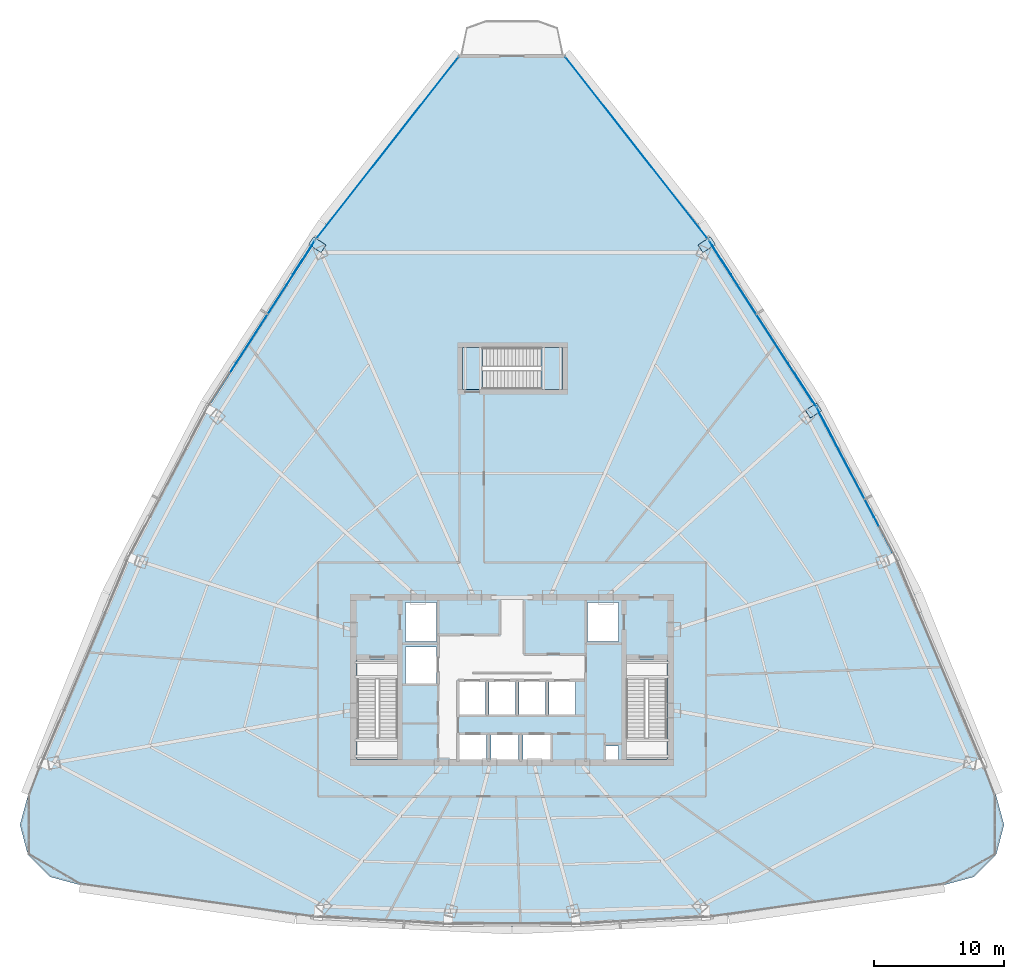
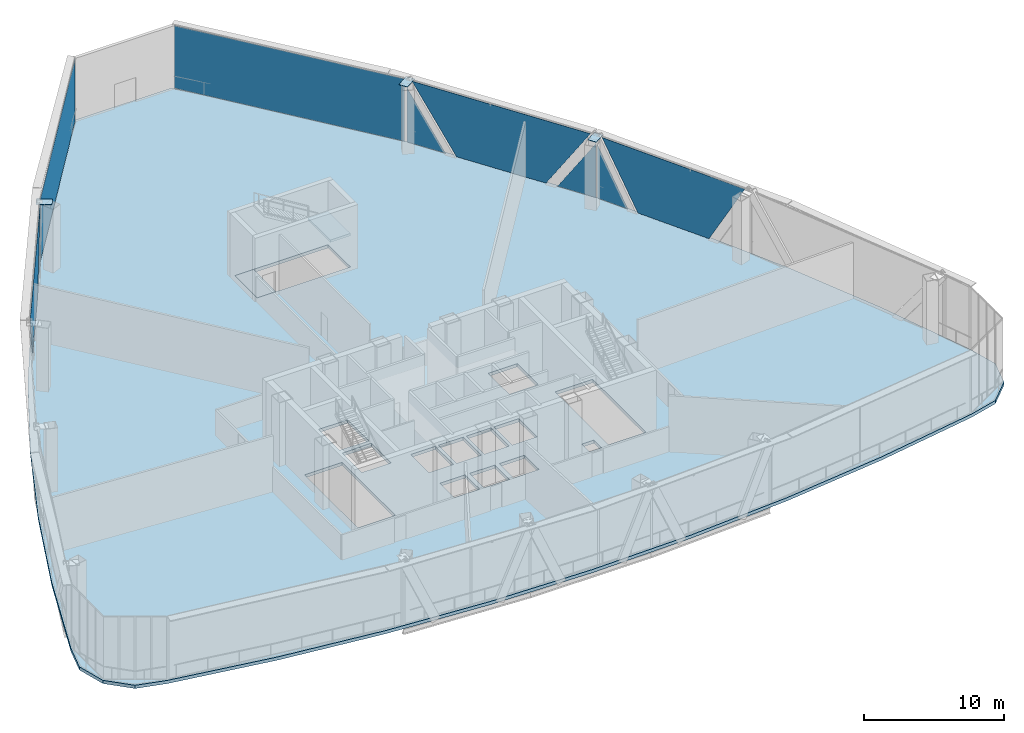
# One storey, part 28 of 38: 12 plates, 3 slabs, 6 elements without a shape of their own.
"""IFC4 building model written with IfcOpenShell, lengths in metres."""

from ifc_helpers import new_model, si_unit, direction, frame, origin, origin_2d, place, context, subcontext, project, spatial, polyline, rectangle, outline, extrude, source, transform, mapped, material, layer, layer_set, type_object, element, aggregate, save


model = new_model("IFC4")

# Units and contexts
model_context = context("Model", 3, precision=1e-05, world=origin(), true_north=direction((0.0, 1.0)))
body_context = subcontext(model_context, "Body", "Model", "MODEL_VIEW")
ifc_project = project(units=[si_unit("LENGTHUNIT", "METRE"), si_unit("AREAUNIT", "SQUARE_METRE"), si_unit("VOLUMEUNIT", "CUBIC_METRE"), si_unit("PLANEANGLEUNIT", "RADIAN"), si_unit("MASSUNIT", "GRAM", prefix="KILO"), si_unit("THERMODYNAMICTEMPERATUREUNIT", "KELVIN"), si_unit("POWERUNIT", "WATT")], contexts=[model_context])

# Site, building, storey
site_placement = place(None, origin())
site = spatial("IfcSite", under=ifc_project, at=site_placement, CompositionType="ELEMENT")
building_placement = place(site_placement, origin())
building = spatial("IfcBuilding", under=site, at=building_placement, Name="Yunzhuo Pagoda Commons", CompositionType="ELEMENT")
storey_placement = place(building_placement, frame((0.0, 0.0, 218.9599609375)))
storey = spatial("IfcBuildingStorey", under=building, at=storey_placement, Name="L55", CompositionType="ELEMENT", Elevation=218.9599609375)

# Curtain wall, plates
ifc_material_1 = material(Name="Anodized aluminium 6063-T6", Category="aluminium")
ifc_layer_1 = layer(ifc_material_1, 0.14990234375)
ifc_layer_set_1 = layer_set([ifc_layer_1], Name="Anodized aluminium 6063-T6")
curtain_wall_type = type_object("IfcCurtainWallType", Name="CW-MID Mid-Zone Ribbon Curtain Wall", PredefinedType="NOTDEFINED", material=ifc_layer_set_1)
curtain_wall_1_placement = place(storey_placement, origin())
curtain_wall_1 = element("IfcCurtainWall", 1, at=curtain_wall_1_placement, inside=storey, type_object=curtain_wall_type, Name="L55 curtain wall CW-L55-F2B3", PredefinedType="NOTDEFINED")
ifc_material_2 = material(Name="Tempered low-e double glazing", Category="glass")
ifc_layer_2 = layer(ifc_material_2, 0.028076171875)
ifc_layer_set_2 = layer_set([ifc_layer_2], Name="Tempered low-e double glazing")
plate_type_1 = type_object("IfcPlateType", Name="CW-MID-P Low-E Double Glazing 28", PredefinedType="CURTAIN_PANEL", material=ifc_layer_set_2)
plate_1_placement = place(storey_placement, frame((74.423095703125, 49.01953125, 2.78515625), z_axis=(0.884850366753, 0.465875335746, 0.0), x_axis=(-0.465875335746, 0.884850366753, 0.0)))
plate_1 = element("IfcPlate", 2, at=plate_1_placement, type_object=plate_type_1, Name="CW panel 1.1 lite 2", PredefinedType="CURTAIN_PANEL", context=body_context, shape_type="SweptSolid", body=[
    extrude(outline(polyline([(-6.041015625, 2.72998046875), (-3.004638671875, -2.72998046875), (3.004638671875, -2.72998046875), (6.041015625, 2.72998046875), (-6.041015625, 2.72998046875)])), origin(), (0.0, 0.0, 1.0), 0.028076171875),
])
plate_2_placement = place(storey_placement, frame((72.045654296875, 53.599609375, 2.36767578125), z_axis=(0.884850366753, 0.465875335746, 0.0), x_axis=(-0.465875335746, 0.884850366753, 0.0)))
plate_2 = element("IfcPlate", 3, at=plate_2_placement, type_object=plate_type_1, Name="CW panel 1.1 lite 3", PredefinedType="CURTAIN_PANEL", context=body_context, shape_type="SweptSolid", body=[
    extrude(outline(polyline([(-1.2861328125, -2.3125), (1.2861328125, -2.3125), (1.2861328125, 2.3125), (-1.2861328125, -2.3125)])), origin(), (0.0, 0.0, 1.0), 0.028076171875),
])
aggregate(curtain_wall_1, [plate_1, plate_2])

curtain_wall_2_placement = place(storey_placement, origin())
curtain_wall_2 = element("IfcCurtainWall", 4, at=curtain_wall_2_placement, inside=storey, type_object=curtain_wall_type, Name="L55 curtain wall CW-L55-F2B4", PredefinedType="NOTDEFINED")
plate_3_placement = place(storey_placement, frame((70.54736328125, 56.1416015625, 2.419921875), z_axis=(0.840364735299, 0.542021320305, 0.0), x_axis=(-0.542021320305, 0.840364735299, 0.0)))
plate_3 = element("IfcPlate", 5, at=plate_3_placement, type_object=plate_type_1, Name="CW panel 1.1 lite 1", PredefinedType="CURTAIN_PANEL", context=body_context, shape_type="SweptSolid", body=[
    extrude(outline(polyline([(-1.548583984375, -2.36474609375), (1.548583984375, -2.36474609375), (-1.548583984375, 2.364990234375), (-1.548583984375, -2.36474609375)])), origin(), (0.0, 0.0, 1.0), 0.028076171875),
])
plate_4_placement = place(storey_placement, frame((67.24169921875, 61.211669921875, 2.78515625), z_axis=(0.840364735299, 0.542021320305, 0.0), x_axis=(-0.542021320305, 0.840364735299, 0.0)))
plate_4 = element("IfcPlate", 6, at=plate_4_placement, type_object=plate_type_1, Name="CW panel 1.1 lite 2", PredefinedType="CURTAIN_PANEL", context=body_context, shape_type="SweptSolid", body=[
    extrude(outline(polyline([(-7.1708984375, 2.72998046875), (-3.595703125, -2.72998046875), (3.595703125, -2.72998046875), (7.1708984375, 2.72998046875), (-7.1708984375, 2.72998046875)])), origin(), (0.0, 0.0, 1.0), 0.028076171875),
])
plate_5_placement = place(storey_placement, frame((63.986083984375, 66.314208984375, 2.419921875), z_axis=(0.840364735299, 0.542021320305, 0.0), x_axis=(-0.542021320305, 0.840364735299, 0.0)))
plate_5 = element("IfcPlate", 7, at=plate_5_placement, type_object=plate_type_1, Name="CW panel 1.1 lite 3", PredefinedType="CURTAIN_PANEL", context=body_context, shape_type="SweptSolid", body=[
    extrude(outline(polyline([(-1.548583984375, -2.36474609375), (1.548583984375, -2.36474609375), (1.548583984375, 2.364990234375), (-1.548583984375, -2.36474609375)])), origin(), (0.0, 0.0, 1.0), 0.028076171875),
])
aggregate(curtain_wall_2, [plate_3, plate_4, plate_5])

curtain_wall_3_placement = place(storey_placement, origin())
curtain_wall_3 = element("IfcCurtainWall", 8, at=curtain_wall_3_placement, inside=storey, type_object=curtain_wall_type, Name="L55 curtain wall CW-L55-F3B2", PredefinedType="NOTDEFINED")
plate_6_placement = place(storey_placement, frame((32.013916015625, 66.314208984375, 2.419921875), z_axis=(-0.840364735299, 0.542021320305, 0.0), x_axis=(-0.542021320305, -0.840364735299, 0.0)))
plate_6 = element("IfcPlate", 9, at=plate_6_placement, type_object=plate_type_1, Name="CW panel 1.1 lite 1", PredefinedType="CURTAIN_PANEL", context=body_context, shape_type="SweptSolid", body=[
    extrude(outline(polyline([(-1.548583984375, -2.36474609375), (1.548583984375, -2.36474609375), (-1.548583984375, 2.364990234375), (-1.548583984375, -2.36474609375)])), origin(), (0.0, 0.0, 1.0), 0.028076171875),
])
plate_7_placement = place(storey_placement, frame((28.75830078125, 61.211669921875, 2.78515625), z_axis=(-0.840364735299, 0.542021320305, 0.0), x_axis=(-0.542021320305, -0.840364735299, 0.0)))
plate_7 = element("IfcPlate", 10, at=plate_7_placement, type_object=plate_type_1, Name="CW panel 1.1 lite 2", PredefinedType="CURTAIN_PANEL", context=body_context, shape_type="SweptSolid", body=[
    extrude(outline(polyline([(-7.1708984375, 2.72998046875), (-3.595703125, -2.72998046875), (3.595703125, -2.72998046875), (7.1708984375, 2.72998046875), (-7.1708984375, 2.72998046875)])), origin(), (0.0, 0.0, 1.0), 0.028076171875),
])
aggregate(curtain_wall_3, [plate_6, plate_7])

# Stair, slabs
ifc_material_3 = material(Name="Concrete C40", Category="concrete")
stair_type = type_object("IfcStairType", Name="ST-C3 North Tower Smokeproof Stair ST3", PredefinedType="HALF_TURN_STAIR", material=ifc_material_3)
stair_placement = place(storey_placement, origin())
stair = element("IfcStair", 11, at=stair_placement, inside=storey, type_object=stair_type, Name="L55 North tower smokeproof stair ST3", PredefinedType="HALF_TURN_STAIR")
ifc_layer_3 = layer(ifc_material_3, 0.2041015625)
ifc_layer_set_3 = layer_set([ifc_layer_3], Name="Concrete C40")
slab_type_1 = type_object("IfcSlabType", Name="SL-LND5 North Landing Slab 204", PredefinedType="LANDING", material=ifc_layer_set_3)
slab_1_placement = place(storey_placement, frame((0.0, 0.0, 2.72509765625)))
slab_1 = element("IfcSlab", 12, at=slab_1_placement, type_object=slab_type_1, Name="ST3 landing 1", PredefinedType="LANDING", context=body_context, shape_type="SweptSolid", body=[
    extrude(outline(polyline([(50.22998046875, 56.199951171875), (51.89990234375, 56.199951171875), (51.89990234375, 59.39990234375), (50.22998046875, 59.39990234375), (50.22998046875, 56.199951171875)])), origin(), (0.0, 0.0, 1.0), 0.199951171875),
])
slab_2_placement = place(storey_placement, frame((0.0, 0.0, -0.199951171875)))
slab_2 = element("IfcSlab", 13, at=slab_2_placement, type_object=slab_type_1, Name="ST3 floor landing L55", PredefinedType="LANDING", context=body_context, shape_type="SweptSolid", body=[
    extrude(outline(polyline([(44.199951171875, 56.199951171875), (45.75, 56.199951171875), (45.75, 59.39990234375), (44.199951171875, 59.39990234375), (44.199951171875, 56.199951171875)])), origin(), (0.0, 0.0, 1.0), 0.199951171875),
])
aggregate(stair, [slab_1, slab_2])

# Slab
ifc_layer_4 = layer(ifc_material_3, 0.280029296875)
ifc_layer_set_4 = layer_set([ifc_layer_4], Name="Concrete C40")
slab_type_2 = type_object("IfcSlabType", Name="SL-POD Podium & Refuge Floor Slab 280", PredefinedType="FLOOR", material=ifc_layer_set_4)
slab_3_placement = place(storey_placement, frame((0.0, 0.0, -0.280029296875)))
element("IfcSlab", 14, at=slab_3_placement, inside=storey, type_object=slab_type_2, Name="L55 structural floor slab", PredefinedType="FLOOR", context=body_context, shape_type="SweptSolid", body=[
    extrude(outline(polyline([(13.7421875, 32.850341796875), (17.022216796875, 40.473388671875), (20.6513671875, 47.89306640625), (24.62939453125, 55.108642578125), (28.95654296875, 62.12060546875), (33.6328125, 68.928955078125), (38.657958984375, 75.533447265625), (44.031982421875, 81.93408203125), (51.968017578125, 81.93408203125), (57.342041015625, 75.533447265625), (62.3671875, 68.928955078125), (67.04345703125, 62.12060546875), (71.37060546875, 55.108642578125), (75.3486328125, 47.89306640625), (78.977783203125, 40.473388671875), (82.2578125, 32.850341796875), (85.188720703125, 25.0234375), (85.815185546875, 22.7236328125), (85.205078125, 20.41943359375), (83.522705078125, 18.73095703125), (81.220703125, 18.11279296875), (72.91552734375, 16.6982421875), (64.6103515625, 15.687744140625), (56.30517578125, 15.08154296875), (48.0, 14.87939453125), (39.69482421875, 15.08154296875), (31.3896484375, 15.687744140625), (23.08447265625, 16.6982421875), (14.779296875, 18.11279296875), (12.477294921875, 18.73095703125), (10.794921875, 20.41943359375), (10.184814453125, 22.7236328125), (10.811279296875, 25.0234375), (13.7421875, 32.850341796875)]), holes=[polyline([(46.050048828125, 29.64990234375), (43.949951171875, 29.64990234375), (43.949951171875, 27.60009765625), (46.050048828125, 27.60009765625), (46.050048828125, 29.64990234375)]), polyline([(48.5, 27.60009765625), (48.5, 29.64990234375), (46.39990234375, 29.64990234375), (46.39990234375, 27.60009765625), (48.5, 27.60009765625)]), polyline([(36.10009765625, 27.800048828125), (39.199951171875, 27.800048828125), (39.199951171875, 35.39990234375), (36.10009765625, 35.39990234375), (36.10009765625, 27.800048828125)]), polyline([(45.969970703125, 31.199951171875), (45.969970703125, 33.800048828125), (43.929931640625, 33.800048828125), (43.929931640625, 31.199951171875), (45.969970703125, 31.199951171875)]), polyline([(48.27001953125, 31.199951171875), (48.27001953125, 33.800048828125), (46.22998046875, 33.800048828125), (46.22998046875, 31.199951171875), (48.27001953125, 31.199951171875)]), polyline([(42.199951171875, 33.60009765625), (42.199951171875, 36.39990234375), (39.800048828125, 36.39990234375), (39.800048828125, 33.60009765625), (42.199951171875, 33.60009765625)]), polyline([(42.199951171875, 36.800048828125), (42.199951171875, 39.800048828125), (39.800048828125, 39.800048828125), (39.800048828125, 36.800048828125), (42.199951171875, 36.800048828125)]), polyline([(56.179931640625, 28.800048828125), (55.179931640625, 28.800048828125), (55.179931640625, 27.699951171875), (56.179931640625, 27.699951171875), (56.179931640625, 28.800048828125)]), polyline([(50.949951171875, 27.60009765625), (50.949951171875, 29.64990234375), (48.85009765625, 29.64990234375), (48.85009765625, 27.60009765625), (50.949951171875, 27.60009765625)]), polyline([(56.800048828125, 27.800048828125), (59.89990234375, 27.800048828125), (59.89990234375, 35.39990234375), (56.800048828125, 35.39990234375), (56.800048828125, 27.800048828125)]), polyline([(50.570068359375, 31.199951171875), (50.570068359375, 33.800048828125), (48.530029296875, 33.800048828125), (48.530029296875, 31.199951171875), (50.570068359375, 31.199951171875)]), polyline([(52.8701171875, 31.199951171875), (52.8701171875, 33.800048828125), (50.830078125, 33.800048828125), (50.830078125, 31.199951171875), (52.8701171875, 31.199951171875)]), polyline([(56.199951171875, 36.800048828125), (56.199951171875, 39.800048828125), (53.800048828125, 39.800048828125), (53.800048828125, 36.800048828125), (56.199951171875, 36.800048828125)]), polyline([(51.89990234375, 56.199951171875), (51.89990234375, 59.39990234375), (44.199951171875, 59.39990234375), (44.199951171875, 56.199951171875), (51.89990234375, 56.199951171875)])]), origin(), (0.0, 0.0, 1.0), 0.280029296875),
])

# Plates
ifc_material_4 = material(Name="Structural steel Q355B", Category="steel")
ifc_layer_5 = layer(ifc_material_4, 0.028076171875)
ifc_layer_set_5 = layer_set([ifc_layer_5], Name="Structural steel Q355B")
plate_type_2 = type_object("IfcPlateType", Name="SP-ND1 Lattice Node Cap Plate 800x500x28", PredefinedType="USERDEFINED", material=ifc_layer_set_5)
shared_shape_1 = source(origin(), body_context, "Body", "SweptSolid", [
    extrude(rectangle(XDim=0.699951171875, YDim=1.03564453125, at=origin_2d()), origin(), (0.0, 0.0, 1.0), 0.035888671875),
])
plate_8_placement = place(storey_placement, frame((71.17626953125, 54.56787109375, 5.5322265625), z_axis=(0.0, 0.0, 1.0), x_axis=(-0.542016257641, 0.840368000612, 0.0)))
element("IfcPlate", 15, at=plate_8_placement, inside=storey, type_object=plate_type_2, Name="L55 setback lattice tie plate F2.3L", ObjectType="STIFFENER_PLATE", PredefinedType="USERDEFINED", context=body_context, shape_type="MappedRepresentation", body=[
    mapped(shared_shape_1, transform((0.0, 0.0, 0.0), scale=1.0)),
])
shared_shape_2 = source(origin(), body_context, "Body", "SweptSolid", [
    extrude(rectangle(XDim=0.699951171875, YDim=1.144287109375, at=origin_2d()), origin(), (0.0, 0.0, 1.0), 0.035888671875),
])
for number, where, z_axis, x_axis, name in (
    (16, (62.964599609375, 67.310791015625, 5.5322265625), (0.0, 0.0, 1.0), (-0.542016257641, 0.840368000612, 0.0), "L55 setback lattice tie plate F2.3R"),
    (17, (33.035400390625, 67.310791015625, 5.5322265625), (0.0, 0.0, 1.0), (-0.542016257641, -0.840368000612, 0.0), "L55 setback lattice tie plate F3.1L"),
):
    element("IfcPlate", number, at=place(storey_placement, frame(where, z_axis=z_axis, x_axis=x_axis)), inside=storey, type_object=plate_type_2, Name=name, ObjectType="STIFFENER_PLATE", PredefinedType="USERDEFINED", context=body_context, shape_type="MappedRepresentation", body=[
        mapped(shared_shape_2, transform((0.0, 0.0, 0.0), scale=1.0)),
    ])

# Curtain wall, plate
curtain_wall_4_placement = place(storey_placement, origin())
curtain_wall_4 = element("IfcCurtainWall", 18, at=curtain_wall_4_placement, inside=storey, type_object=curtain_wall_type, Name="L55 curtain wall CW-L55-F2B5", PredefinedType="NOTDEFINED")
shared_shape_3 = source(origin(), body_context, "Body", "SweptSolid", [
    extrude(rectangle(XDim=17.751220703125, YDim=0.028076171875, at=origin_2d()), origin(), (0.0, 0.0, 1.0), 5.4599609375),
])
plate_9_placement = place(storey_placement, frame((57.5712890625, 74.768310546875, 0.05517578125), z_axis=(0.0, 0.0, 1.0), x_axis=(-0.6164644088, 0.78738277393, 0.0)))
plate_9 = element("IfcPlate", 19, at=plate_9_placement, type_object=plate_type_1, Name="CW panel 1.1", PredefinedType="CURTAIN_PANEL", context=body_context, shape_type="MappedRepresentation", body=[
    mapped(shared_shape_3, transform((0.0, 0.0, 0.0), scale=1.0)),
])
aggregate(curtain_wall_4, [plate_9])

curtain_wall_5_placement = place(storey_placement, origin())
curtain_wall_5 = element("IfcCurtainWall", 20, at=curtain_wall_5_placement, inside=storey, type_object=curtain_wall_type, Name="L55 curtain wall CW-L55-F3B1", PredefinedType="NOTDEFINED")
plate_10_placement = place(storey_placement, frame((38.4287109375, 74.768310546875, 0.05517578125), z_axis=(0.0, 0.0, 1.0), x_axis=(-0.6164644088, -0.78738277393, 0.0)))
plate_10 = element("IfcPlate", 21, at=plate_10_placement, type_object=plate_type_1, Name="CW panel 1.1", PredefinedType="CURTAIN_PANEL", context=body_context, shape_type="MappedRepresentation", body=[
    mapped(shared_shape_3, transform((0.0, 0.0, 0.0), scale=1.0)),
])
aggregate(curtain_wall_5, [plate_10])

save(model, "model.ifc")
